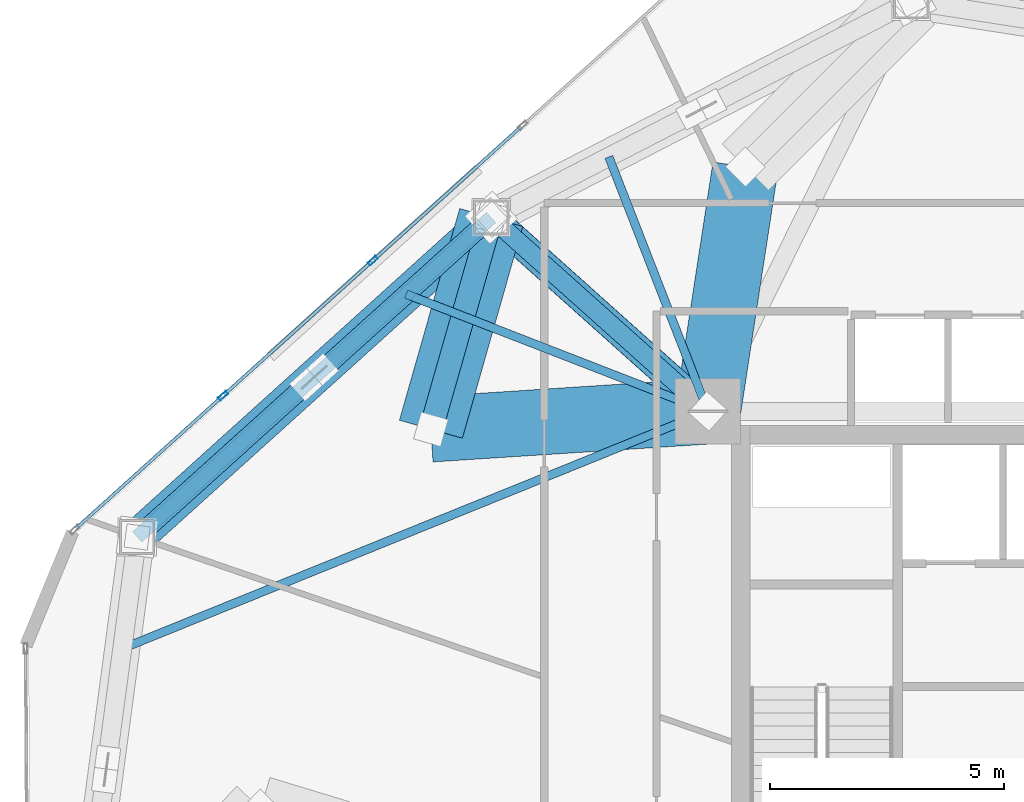
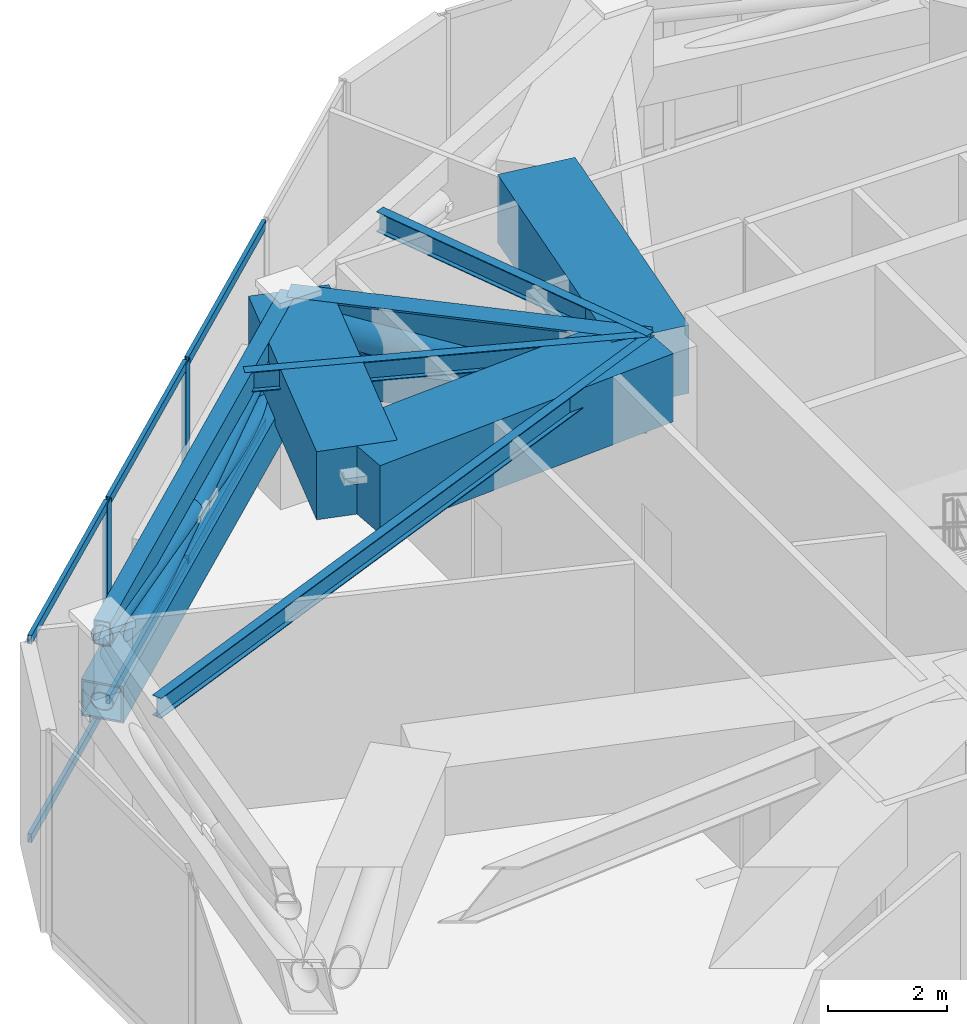
# One storey, part 8 of 25: 15 members, 8 beams, 1 element without a shape of its own.
"""IFC4 building model written with IfcOpenShell, lengths in metres."""

from ifc_helpers import new_model, si_unit, direction, frame, origin, origin_2d, place, context, subcontext, project, spatial, rectangle, hollow_rectangle, hollow_circle, i_section, extrude, source, transform, mapped, material, layer, layer_set, material_profile, profile_set, type_object, type_shapes, element, aggregate, save


model = new_model("IFC4")

# Units and contexts
model_context = context("Model", 3, precision=1e-05, world=origin(), true_north=direction((0.0, 1.0)))
body_context = subcontext(model_context, "Body", "Model", "MODEL_VIEW")
ifc_project = project(units=[si_unit("LENGTHUNIT", "METRE"), si_unit("AREAUNIT", "SQUARE_METRE"), si_unit("VOLUMEUNIT", "CUBIC_METRE"), si_unit("PLANEANGLEUNIT", "RADIAN"), si_unit("MASSUNIT", "GRAM", prefix="KILO")], contexts=[model_context])

# Site, building, storey
site_placement = place(None, origin())
site = spatial("IfcSite", under=ifc_project, at=site_placement, CompositionType="ELEMENT")
building_placement = place(site_placement, origin())
building = spatial("IfcBuilding", under=site, at=building_placement, Name="Talar Marvaseh", CompositionType="ELEMENT")
storey_placement = place(building_placement, frame((0.0, 0.0, 84.800048828125)))
storey = spatial("IfcBuildingStorey", under=building, at=storey_placement, Name="L21", CompositionType="ELEMENT", Elevation=84.800048828125)

# Beams
ifc_material_1 = material(Name="Steel S460", Category="steel")
ifc_material_profile_1 = material_profile(ifc_material_1, i_section(OverallWidth=0.39990234375, OverallDepth=1.02099609375, WebThickness=0.02294921875, FlangeThickness=0.0390625, at=origin_2d()), Name="W1000x412")
ifc_profile_set_1 = profile_set([ifc_material_profile_1], Name="Steel S460")
beam_type_1 = type_object("IfcBeamType", Name="Heavy Outrigger Tie Girder W1000x412", PredefinedType="BEAM", material=ifc_profile_set_1)
beam_1_placement = place(storey_placement, frame((18.699951171875, 36.89990234375, 3.639404296875), z_axis=(-0.745268030676, 0.666764997921, 0.0), x_axis=(-0.666764997921, -0.745268030676, 0.0)))
element("IfcBeam", 1, at=beam_1_placement, inside=storey, type_object=beam_type_1, Name="L21 Heavy Outrigger Tie Girder W1000x412", PredefinedType="BEAM", context=body_context, shape_type="SweptSolid", body=[
    extrude(i_section(OverallWidth=0.39990234375, OverallDepth=1.02099609375, WebThickness=0.02294921875, FlangeThickness=0.0390625, at=origin_2d()), origin(), (0.0, 0.0, 1.0), 6.213623046875),
])
ifc_material_2 = material(Name="Concrete C70/85", Category="concrete")
ifc_material_profile_2 = material_profile(ifc_material_2, rectangle(XDim=1.39990234375, YDim=1.39990234375, at=origin_2d()), Name="RC1400x1400")
ifc_profile_set_2 = profile_set([ifc_material_profile_2], Name="Concrete C70/85")
beam_type_2 = type_object("IfcBeamType", Name="Setback Deep Concrete Transfer Girder RC1400x1400", PredefinedType="BEAM", material=ifc_profile_set_2)
beam_2_placement = place(storey_placement, frame((14.069091796875, 41.04296875, 3.449951171875), z_axis=(-0.273926193876, -0.961750716303, 0.0), x_axis=(0.961750716303, -0.273926193876, 0.0)))
element("IfcBeam", 2, at=beam_2_placement, inside=storey, type_object=beam_type_2, Name="L21 Setback Cantilever Transfer Girder 10", PredefinedType="BEAM", context=body_context, shape_type="SweptSolid", body=[
    extrude(rectangle(XDim=1.39990234375, YDim=1.39990234375, at=origin_2d()), origin(), (0.0, 0.0, 1.0), 4.705810546875),
])
beam_3_placement = place(storey_placement, frame((12.780029296875, 36.51708984375, 3.449951171875), z_axis=(0.997915745008, 0.064530348407, 0.0), x_axis=(-0.064530348407, 0.997915745008, 0.0)))
element("IfcBeam", 3, at=beam_3_placement, inside=storey, type_object=beam_type_2, Name="L21 Setback Backspan Transfer Girder 10", PredefinedType="BEAM", context=body_context, shape_type="SweptSolid", body=[
    extrude(rectangle(XDim=1.39990234375, YDim=1.39990234375, at=origin_2d()), origin(), (0.0, 0.0, 1.0), 5.932373046875),
])
beam_4_placement = place(storey_placement, frame((19.5009765625, 42.123046875, 3.449951171875), z_axis=(-0.151588471466, -0.98844369355, 0.0), x_axis=(0.98844369355, -0.151588471466, 0.0)))
element("IfcBeam", 4, at=beam_4_placement, inside=storey, type_object=beam_type_2, Name="L21 Setback Backspan Transfer Girder 11", PredefinedType="BEAM", context=body_context, shape_type="SweptSolid", body=[
    extrude(rectangle(XDim=1.39990234375, YDim=1.39990234375, at=origin_2d()), origin(), (0.0, 0.0, 1.0), 5.2841796875),
])
ifc_material_3 = material(Name="Steel S355", Category="steel")
ifc_material_profile_3 = material_profile(ifc_material_3, hollow_rectangle(XDim=0.300048828125, YDim=0.5, WallThickness=0.02001953125, at=origin_2d()), Name="RHS500x300x20")
ifc_profile_set_3 = profile_set([ifc_material_profile_3], Name="Steel S355")
beam_type_3 = type_object("IfcBeamType", Name="Zone 1 Perimeter Spandrel Beam RHS500x300x20", PredefinedType="SPANDREL", material=ifc_profile_set_3)
beam_5_placement = place(storey_placement, frame((6.501953125, 34.214111328125, 3.89990234375), z_axis=(0.742394279812, 0.669963232799, 0.0), x_axis=(-0.669963232799, 0.742394279812, 0.0)))
element("IfcBeam", 5, at=beam_5_placement, inside=storey, type_object=beam_type_3, Name="L21 Zone 1 Perimeter Spandrel Beam RHS500x300x20", PredefinedType="SPANDREL", context=body_context, shape_type="SweptSolid", body=[
    extrude(hollow_rectangle(XDim=0.300048828125, YDim=0.5, WallThickness=0.02001953125, at=origin_2d()), origin(), (0.0, 0.0, 1.0), 10.19287109375),
])
ifc_material_profile_4 = material_profile(ifc_material_3, i_section(OverallWidth=0.179931640625, OverallDepth=0.4130859375, WebThickness=0.009765625, FlangeThickness=0.01611328125, at=origin_2d()), Name="W410x75")
ifc_profile_set_4 = profile_set([ifc_material_profile_4], Name="Steel S355")
beam_type_4 = type_object("IfcBeamType", Name="Zone 1 Secondary Floor Joist W410x75", PredefinedType="JOIST", material=ifc_profile_set_4)
beam_6_placement = place(storey_placement, frame((6.18359375, 31.828857421875, 3.943359375), z_axis=(0.926820564873, 0.375504514658, 0.0), x_axis=(-0.375504514658, 0.926820564873, 0.0)))
element("IfcBeam", 6, at=beam_6_placement, inside=storey, type_object=beam_type_4, Name="L21 Zone 1 Secondary Floor Joist W410x75", PredefinedType="JOIST", context=body_context, shape_type="SweptSolid", body=[
    extrude(i_section(OverallWidth=0.179931640625, OverallDepth=0.4130859375, WebThickness=0.009765625, FlangeThickness=0.01611328125, at=origin_2d()), origin(), (0.0, 0.0, 1.0), 13.504638671875),
])
beam_7_placement = place(storey_placement, frame((12.2529296875, 39.404052734375, 3.943359375), z_axis=(0.932152321811, -0.36206635986, 0.0), x_axis=(0.36206635986, 0.932152321811, 0.0)))
element("IfcBeam", 7, at=beam_7_placement, inside=storey, type_object=beam_type_4, Name="L21 Zone 1 Secondary Floor Joist W410x75", PredefinedType="JOIST", context=body_context, shape_type="SweptSolid", body=[
    extrude(i_section(OverallWidth=0.179931640625, OverallDepth=0.4130859375, WebThickness=0.009765625, FlangeThickness=0.01611328125, at=origin_2d()), origin(), (0.0, 0.0, 1.0), 6.916259765625),
])
beam_8_placement = place(storey_placement, frame((16.582763671875, 42.337646484375, 3.943359375), z_axis=(0.362819746189, -0.931859341197, 0.0), x_axis=(0.931859341197, 0.362819746189, 0.0)))
element("IfcBeam", 8, at=beam_8_placement, inside=storey, type_object=beam_type_4, Name="L21 Zone 1 Secondary Floor Joist W410x75", PredefinedType="JOIST", context=body_context, shape_type="SweptSolid", body=[
    extrude(i_section(OverallWidth=0.179931640625, OverallDepth=0.4130859375, WebThickness=0.009765625, FlangeThickness=0.01611328125, at=origin_2d()), origin(), (0.0, 0.0, 1.0), 5.83544921875),
])

# Members
ifc_material_profile_5 = material_profile(ifc_material_1, hollow_rectangle(XDim=0.60009765625, YDim=0.60009765625, WallThickness=0.031982421875, at=origin_2d()), Name="BOX600x600x32")
ifc_profile_set_5 = profile_set([ifc_material_profile_5], Name="Steel S460")
member_type_1 = type_object("IfcMemberType", Name="Outrigger Chord Member BOX600x600x32", PredefinedType="CHORD", material=ifc_profile_set_5)
shared_shape_1 = source(origin(), body_context, "Body", "SweptSolid", [
    extrude(hollow_rectangle(XDim=0.60009765625, YDim=0.60009765625, WallThickness=0.031982421875, at=origin_2d()), origin(), (0.0, 0.0, 1.0), 6.213623046875),
])
type_shapes(member_type_1, [shared_shape_1])
member_1_placement = place(storey_placement, frame((18.699951171875, 36.89990234375, 2.599853515625), z_axis=(-0.745268030676, 0.666764997921, 0.0), x_axis=(-0.666764997921, -0.745268030676, 0.0)))
element("IfcMember", 9, at=member_1_placement, inside=storey, type_object=member_type_1, Name="L21 Outrigger Upper Tie Chord 1", PredefinedType="CHORD", context=body_context, shape_type="MappedRepresentation", body=[
    mapped(shared_shape_1, transform((0.0, 0.0, 0.0), x_axis=(1.0, 0.0, 0.0), y_axis=(0.0, 1.0, 0.0), z_axis=(0.0, 0.0, 1.0), scale=1.0)),
])
ifc_material_profile_6 = material_profile(ifc_material_1, hollow_circle(Radius=0.304931640625, WallThickness=0.02490234375, at=origin_2d()), Name="CHS610x25")
ifc_profile_set_6 = profile_set([ifc_material_profile_6], Name="Steel S460")
member_type_2 = type_object("IfcMemberType", Name="Outrigger Diagonal Brace CHS610x25", PredefinedType="BRACE", material=ifc_profile_set_6)
shared_shape_2 = source(origin(), body_context, "Body", "SweptSolid", [
    extrude(hollow_circle(Radius=0.304931640625, WallThickness=0.02490234375, at=origin_2d()), origin(), (0.0, 0.0, 1.0), 6.3017578125),
])
type_shapes(member_type_2, [shared_shape_2])
member_2_placement = place(storey_placement, frame((18.699951171875, 36.89990234375, 2.599853515625), z_axis=(-0.734849149638, 0.65744359286, 0.16662727713), x_axis=(-0.666764997921, -0.745268030676, 0.0)))
element("IfcMember", 10, at=member_2_placement, inside=storey, type_object=member_type_2, Name="L21 Outrigger Diagonal Brace 1", PredefinedType="BRACE", context=body_context, shape_type="MappedRepresentation", body=[
    mapped(shared_shape_2, transform((0.0, 0.0, 0.0), x_axis=(1.0, 0.0, 0.0), y_axis=(0.0, 1.0, 0.0), z_axis=(0.0, 0.0, 1.0), scale=1.0)),
])
ifc_material_profile_7 = material_profile(ifc_material_1, hollow_circle(Radius=0.25390625, WallThickness=0.02001953125, at=origin_2d()), Name="CHS508x20")
ifc_profile_set_7 = profile_set([ifc_material_profile_7], Name="Steel S460")
member_type_3 = type_object("IfcMemberType", Name="Crown Frame Diagonal Brace CHS508x20", PredefinedType="BRACE", material=ifc_profile_set_7)
shared_shape_3 = source(origin(), body_context, "Body", "SweptSolid", [
    extrude(hollow_circle(Radius=0.25390625, WallThickness=0.02001953125, at=origin_2d()), origin(), (0.0, 0.0, 1.0), 4.832763671875),
])
type_shapes(member_type_3, [shared_shape_3])
member_3_placement = place(storey_placement, frame((14.069091796875, 41.04296875, 2.550048828125), z_axis=(-0.266737820871, -0.936512447596, 0.227585962694), x_axis=(0.961750716303, -0.273926193876, 0.0)))
element("IfcMember", 11, at=member_3_placement, inside=storey, type_object=member_type_3, Name="L21 Setback Transfer Raked Strut 10", PredefinedType="BRACE", context=body_context, shape_type="MappedRepresentation", body=[
    mapped(shared_shape_3, transform((0.0, 0.0, 0.0), x_axis=(1.0, 0.0, 0.0), y_axis=(0.0, 1.0, 0.0), z_axis=(0.0, 0.0, 1.0), scale=1.0)),
])
ifc_material_profile_8 = material_profile(ifc_material_1, hollow_rectangle(XDim=0.75, YDim=0.75, WallThickness=0.0400390625, at=origin_2d()), Name="BOX750x750x40")
ifc_profile_set_8 = profile_set([ifc_material_profile_8], Name="Steel S460")
member_type_4 = type_object("IfcMemberType", Name="Belt Truss Chord Member BOX750x750x40", PredefinedType="CHORD", material=ifc_profile_set_8)
shared_shape_4 = source(origin(), body_context, "Body", "SweptSolid", [
    extrude(hollow_rectangle(XDim=0.75, YDim=0.75, WallThickness=0.0400390625, at=origin_2d()), origin(), (0.0, 0.0, 1.0), 10.19287109375),
])
type_shapes(member_type_4, [shared_shape_4])
member_4_placement = place(storey_placement, frame((6.501953125, 34.214111328125, 2.5), z_axis=(0.742394279812, 0.669963232799, 0.0), x_axis=(-0.669963232799, 0.742394279812, 0.0)))
element("IfcMember", 12, at=member_4_placement, inside=storey, type_object=member_type_4, Name="L21 Belt Truss Bottom Chord 9", PredefinedType="CHORD", context=body_context, shape_type="MappedRepresentation", body=[
    mapped(shared_shape_4, transform((0.0, 0.0, 0.0), x_axis=(1.0, 0.0, 0.0), y_axis=(0.0, 1.0, 0.0), z_axis=(0.0, 0.0, 1.0), scale=1.0)),
])
ifc_material_profile_9 = material_profile(ifc_material_1, hollow_circle(Radius=0.203125, WallThickness=0.01611328125, at=origin_2d()), Name="CHS406x16")
ifc_profile_set_9 = profile_set([ifc_material_profile_9], Name="Steel S460")
member_type_5 = type_object("IfcMemberType", Name="Belt Truss Diagonal Brace CHS406x16", PredefinedType="BRACE", material=ifc_profile_set_9)
shared_shape_5 = source(origin(), body_context, "Body", "SweptSolid", [
    extrude(hollow_circle(Radius=0.203125, WallThickness=0.01611328125, at=origin_2d()), origin(), (0.0, 0.0, 1.0), 10.281982421875),
])
member_5_placement = place(storey_placement, frame((6.501953125, 34.214111328125, 2.5), z_axis=(0.73596863544, 0.664164500787, 0.131284742228), x_axis=(-0.669963232799, 0.742394279812, 0.0)))
element("IfcMember", 13, at=member_5_placement, inside=storey, type_object=member_type_5, Name="L21 Belt Truss Continuous Diagonal 9", PredefinedType="BRACE", context=body_context, shape_type="MappedRepresentation", body=[
    mapped(shared_shape_5, transform((0.0, 0.0, 0.0), x_axis=(1.0, 0.0, 0.0), y_axis=(0.0, 1.0, 0.0), z_axis=(0.0, 0.0, 1.0), scale=1.0)),
])
shared_shape_6 = source(origin(), body_context, "Body", "SweptSolid", [
    extrude(hollow_circle(Radius=0.203125, WallThickness=0.01611328125, at=origin_2d()), origin(), (0.0, 0.0, 1.0), 4.90087890625),
])
member_6_placement = place(storey_placement, frame((10.10888671875, 37.468994140625, 3.20654296875), z_axis=(-0.735985059721, -0.664150048477, 0.131265779908), x_axis=(0.669946957374, -0.742408967015, 0.0)))
element("IfcMember", 14, at=member_6_placement, inside=storey, type_object=member_type_5, Name="L21 Belt Truss Split Diagonal Upper 9", PredefinedType="BRACE", context=body_context, shape_type="MappedRepresentation", body=[
    mapped(shared_shape_6, transform((0.0, 0.0, 0.0), x_axis=(1.0, 0.0, 0.0), y_axis=(0.0, 1.0, 0.0), z_axis=(0.0, 0.0, 1.0), scale=1.0)),
])
shared_shape_7 = source(origin(), body_context, "Body", "SweptSolid", [
    extrude(hollow_circle(Radius=0.203125, WallThickness=0.01611328125, at=origin_2d()), origin(), (0.0, 0.0, 1.0), 4.901123046875),
])
type_shapes(member_type_5, [shared_shape_5, shared_shape_6, shared_shape_7])
member_7_placement = place(storey_placement, frame((14.069091796875, 41.04296875, 2.5), z_axis=(-0.735955896498, -0.66417354596, 0.131310392796), x_axis=(0.669974652899, -0.742383973744, 0.0)))
element("IfcMember", 15, at=member_7_placement, inside=storey, type_object=member_type_5, Name="L21 Belt Truss Split Diagonal Lower 9", PredefinedType="BRACE", context=body_context, shape_type="MappedRepresentation", body=[
    mapped(shared_shape_7, transform((0.0, 0.0, 0.0), x_axis=(1.0, 0.0, 0.0), y_axis=(0.0, 1.0, 0.0), z_axis=(0.0, 0.0, 1.0), scale=1.0)),
])

# Curtain wall, members
ifc_material_4 = material(Name="Architectural Aluminium", Category="aluminium")
ifc_layer = layer(ifc_material_4, 0.219970703125)
ifc_layer_set = layer_set([ifc_layer], Name="Architectural Aluminium")
curtain_wall_type = type_object("IfcCurtainWallType", Name="Unitised Low-E Museum Curtain Wall Z1", PredefinedType="NOTDEFINED", material=ifc_layer_set)
curtain_wall_placement = place(storey_placement, origin())
curtain_wall = element("IfcCurtainWall", 16, at=curtain_wall_placement, inside=storey, type_object=curtain_wall_type, Name="L21 Unitised Low-E Museum Curtain Wall Z1", PredefinedType="NOTDEFINED")
ifc_material_profile_10 = material_profile(ifc_material_4, hollow_rectangle(XDim=0.074951171875, YDim=0.179931640625, WallThickness=0.0048828125, at=origin_2d()), Name="RHS180x75x5")
ifc_profile_set_10 = profile_set([ifc_material_profile_10], Name="Architectural Aluminium")
member_type_6 = type_object("IfcMemberType", Name="Unitised Curtain Wall Transom RHS180x75x5", PredefinedType="USERDEFINED", material=ifc_profile_set_10)
shared_shape_8 = source(origin(), body_context, "Body", "SweptSolid", [
    extrude(hollow_rectangle(XDim=0.074951171875, YDim=0.179931640625, WallThickness=0.0048828125, at=origin_2d()), origin(), (0.0, 0.0, 1.0), 4.19189453125),
])
member_8_placement = place(storey_placement, frame((5.1962890625, 34.396240234375, 0.037353515625), z_axis=(0.74234931053, 0.670013060437, 0.0), x_axis=(-0.670013060437, 0.74234931053, 0.0)))
member_8 = element("IfcMember", 17, at=member_8_placement, type_object=member_type_6, Name="CW-Z1 transom 1.1", ObjectType="TRANSOM", PredefinedType="USERDEFINED", context=body_context, shape_type="MappedRepresentation", body=[
    mapped(shared_shape_8, transform((0.0, 0.0, 0.0), x_axis=(1.0, 0.0, 0.0), y_axis=(0.0, 1.0, 0.0), z_axis=(0.0, 0.0, 1.0), scale=1.0)),
])
member_9_placement = place(storey_placement, frame((5.1962890625, 34.396240234375, 4.112548828125), z_axis=(0.74234931053, 0.670013060437, 0.0), x_axis=(-0.670013060437, 0.74234931053, 0.0)))
member_9 = element("IfcMember", 18, at=member_9_placement, type_object=member_type_6, Name="CW-Z1 transom 1.2", ObjectType="TRANSOM", PredefinedType="USERDEFINED", context=body_context, shape_type="MappedRepresentation", body=[
    mapped(shared_shape_8, transform((0.0, 0.0, 0.0), x_axis=(1.0, 0.0, 0.0), y_axis=(0.0, 1.0, 0.0), z_axis=(0.0, 0.0, 1.0), scale=1.0)),
])
shared_shape_9 = source(origin(), body_context, "Body", "SweptSolid", [
    extrude(hollow_rectangle(XDim=0.074951171875, YDim=0.179931640625, WallThickness=0.0048828125, at=origin_2d()), origin(), (0.0, 0.0, 1.0), 4.231689453125),
])
type_shapes(member_type_6, [shared_shape_8, shared_shape_9])
member_10_placement = place(storey_placement, frame((8.367431640625, 37.258544921875, 0.037353515625), z_axis=(0.74238121963, 0.66997770466, 0.0), x_axis=(-0.66997770466, 0.74238121963, 0.0)))
member_10 = element("IfcMember", 19, at=member_10_placement, type_object=member_type_6, Name="CW-Z1 transom 2.1", ObjectType="TRANSOM", PredefinedType="USERDEFINED", context=body_context, shape_type="MappedRepresentation", body=[
    mapped(shared_shape_9, transform((0.0, 0.0, 0.0), x_axis=(1.0, 0.0, 0.0), y_axis=(0.0, 1.0, 0.0), z_axis=(0.0, 0.0, 1.0), scale=1.0)),
])
member_11_placement = place(storey_placement, frame((8.367431640625, 37.258544921875, 4.112548828125), z_axis=(0.74238121963, 0.66997770466, 0.0), x_axis=(-0.66997770466, 0.74238121963, 0.0)))
member_11 = element("IfcMember", 20, at=member_11_placement, type_object=member_type_6, Name="CW-Z1 transom 2.2", ObjectType="TRANSOM", PredefinedType="USERDEFINED", context=body_context, shape_type="MappedRepresentation", body=[
    mapped(shared_shape_9, transform((0.0, 0.0, 0.0), x_axis=(1.0, 0.0, 0.0), y_axis=(0.0, 1.0, 0.0), z_axis=(0.0, 0.0, 1.0), scale=1.0)),
])
member_12_placement = place(storey_placement, frame((11.568603515625, 40.1474609375, 0.037353515625), z_axis=(0.742326625899, 0.6700381933, 0.0), x_axis=(-0.6700381933, 0.742326625899, 0.0)))
member_12 = element("IfcMember", 21, at=member_12_placement, type_object=member_type_6, Name="CW-Z1 transom 3.1", ObjectType="TRANSOM", PredefinedType="USERDEFINED", context=body_context, shape_type="MappedRepresentation", body=[
    mapped(shared_shape_9, transform((0.0, 0.0, 0.0), x_axis=(1.0, 0.0, 0.0), y_axis=(0.0, 1.0, 0.0), z_axis=(0.0, 0.0, 1.0), scale=1.0)),
])
member_13_placement = place(storey_placement, frame((11.568603515625, 40.1474609375, 4.112548828125), z_axis=(0.742326625899, 0.6700381933, 0.0), x_axis=(-0.6700381933, 0.742326625899, 0.0)))
member_13 = element("IfcMember", 22, at=member_13_placement, type_object=member_type_6, Name="CW-Z1 transom 3.2", ObjectType="TRANSOM", PredefinedType="USERDEFINED", context=body_context, shape_type="MappedRepresentation", body=[
    mapped(shared_shape_9, transform((0.0, 0.0, 0.0), x_axis=(1.0, 0.0, 0.0), y_axis=(0.0, 1.0, 0.0), z_axis=(0.0, 0.0, 1.0), scale=1.0)),
])
ifc_material_profile_11 = material_profile(ifc_material_4, hollow_rectangle(XDim=0.080078125, YDim=0.219970703125, WallThickness=0.0048828125, at=origin_2d()), Name="RHS220x80x5")
ifc_profile_set_11 = profile_set([ifc_material_profile_11], Name="Architectural Aluminium")
member_type_7 = type_object("IfcMemberType", Name="Unitised Curtain Wall Heavy Mullion RHS220x80x5", PredefinedType="MULLION", material=ifc_profile_set_11)
shared_shape_10 = source(origin(), body_context, "Body", "SweptSolid", [
    extrude(hollow_rectangle(XDim=0.080078125, YDim=0.219970703125, WallThickness=0.0048828125, at=origin_2d()), origin(), (0.0, 0.0, 1.0), 4.14990234375),
])
type_shapes(member_type_7, [shared_shape_10])
member_14_placement = place(storey_placement, frame((8.337890625, 37.231689453125, 0.0), z_axis=(0.0, 0.0, 1.0), x_axis=(-0.670010893092, 0.742351266678, 0.0)))
member_14 = element("IfcMember", 23, at=member_14_placement, type_object=member_type_7, Name="CW-Z1 mullion 2", PredefinedType="MULLION", context=body_context, shape_type="MappedRepresentation", body=[
    mapped(shared_shape_10, transform((0.0, 0.0, 0.0), x_axis=(1.0, 0.0, 0.0), y_axis=(0.0, 1.0, 0.0), z_axis=(0.0, 0.0, 1.0), scale=1.0)),
])
member_15_placement = place(storey_placement, frame((11.538818359375, 40.12060546875, 0.0), z_axis=(0.0, 0.0, 1.0), x_axis=(-0.670010893092, 0.742351266678, 0.0)))
member_15 = element("IfcMember", 24, at=member_15_placement, type_object=member_type_7, Name="CW-Z1 mullion 3", PredefinedType="MULLION", context=body_context, shape_type="MappedRepresentation", body=[
    mapped(shared_shape_10, transform((0.0, 0.0, 0.0), x_axis=(1.0, 0.0, 0.0), y_axis=(0.0, 1.0, 0.0), z_axis=(0.0, 0.0, 1.0), scale=1.0)),
])
aggregate(curtain_wall, [member_14, member_15, member_8, member_9, member_10, member_11, member_12, member_13])

save(model, "model.ifc")
